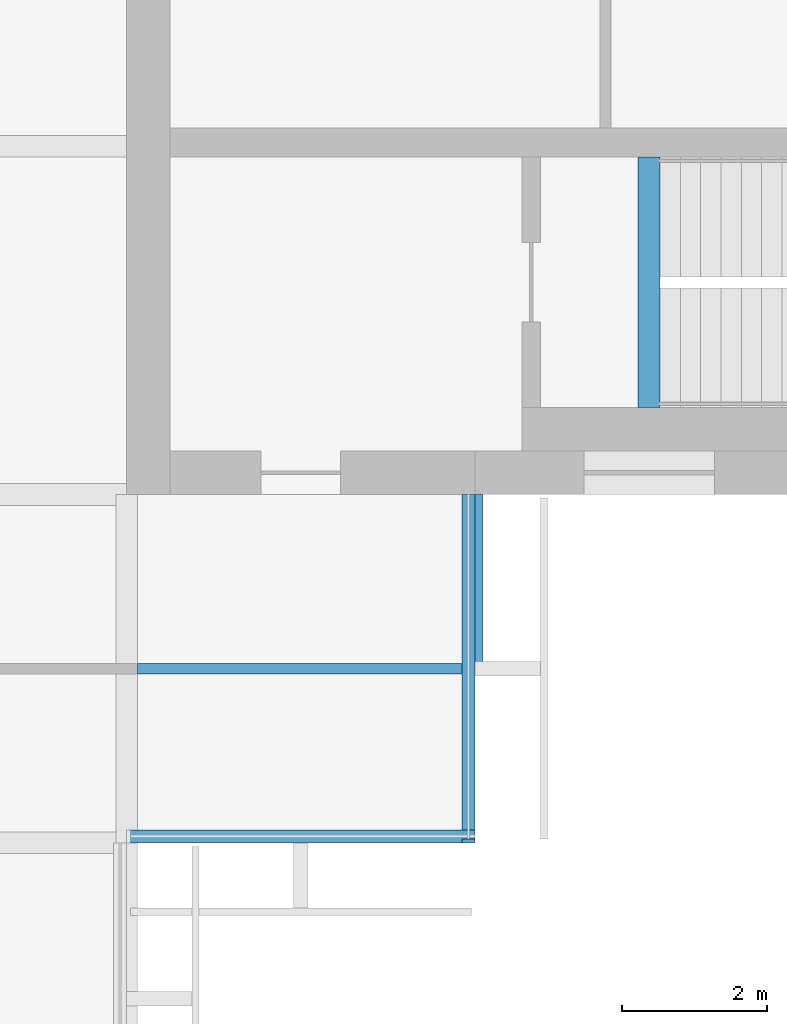
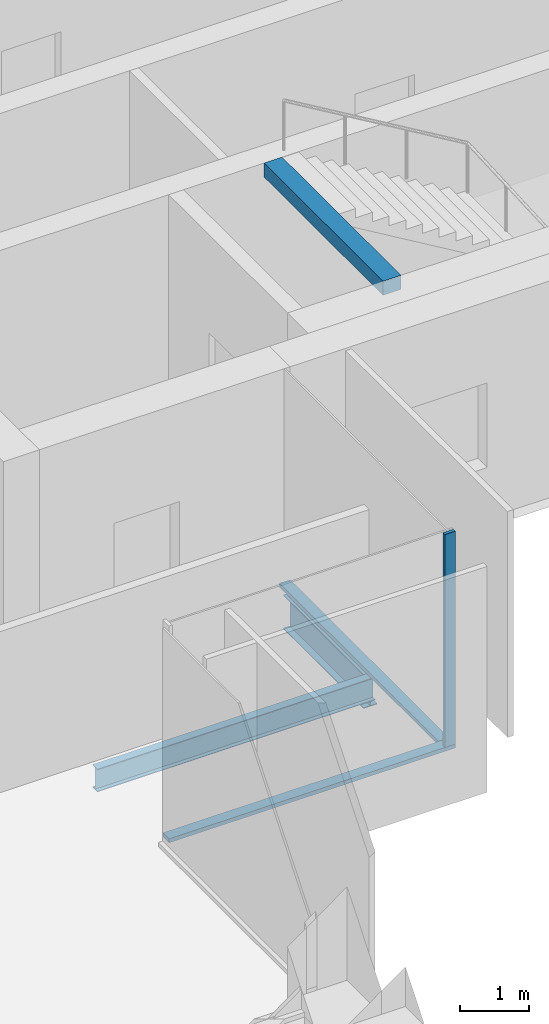
# One storey, part 4 of 12: 3 beams, 3 members, 2 elements without a shape of their own.
"""IFC4 building model written with IfcOpenShell, lengths in metres."""

from ifc_helpers import new_model, si_unit, direction, frame, origin, origin_2d, place, context, subcontext, project, spatial, rectangle, i_section, extrude, material, material_profile, profile_set, type_object, element, aggregate, save


model = new_model("IFC4")

# Units and contexts
model_context = context("Model", 3, precision=1e-05, world=origin(), true_north=direction((0.0, 1.0)))
body_context = subcontext(model_context, "Body", "Model", "MODEL_VIEW")
ifc_project = project(units=[si_unit("LENGTHUNIT", "METRE"), si_unit("AREAUNIT", "SQUARE_METRE"), si_unit("VOLUMEUNIT", "CUBIC_METRE"), si_unit("PLANEANGLEUNIT", "RADIAN"), si_unit("MASSUNIT", "GRAM", prefix="KILO")], contexts=[model_context])

# Site, building, storey
site_placement = place(None, origin())
site = spatial("IfcSite", under=ifc_project, at=site_placement, CompositionType="ELEMENT")
building_placement = place(site_placement, origin())
building = spatial("IfcBuilding", under=site, at=building_placement, Name="Baori Bourse Tower", CompositionType="ELEMENT")
storey_placement = place(building_placement, frame((0.0, 0.0, 298.300048828125)))
storey = spatial("IfcBuildingStorey", under=building, at=storey_placement, Name="L65", CompositionType="ELEMENT", Elevation=298.300048828125)

# Curtain wall, member
ifc_material_1 = material(Name="Pale anodised aluminium", Category="aluminium")
curtain_wall_type = type_object("IfcCurtainWallType", Name="CW2 Curtain wall", PredefinedType="NOTDEFINED", material=ifc_material_1)
curtain_wall_1_placement = place(storey_placement, origin())
curtain_wall_1 = element("IfcCurtainWall", 1, at=curtain_wall_1_placement, inside=storey, type_object=curtain_wall_type, Name="Curtain wall CW2 L65 14", PredefinedType="NOTDEFINED")
ifc_material_2 = material(Name="Pale anodised aluminium", Category="aluminium")
ifc_material_profile_1 = material_profile(ifc_material_2, rectangle(XDim=0.179931640625, YDim=0.054931640625, at=origin_2d()), Name="Mullion 55x180")
ifc_profile_set_1 = profile_set([ifc_material_profile_1], Name="Pale anodised aluminium")
member_type_1 = type_object("IfcMemberType", Name="CW2 Curtain wall mullion", PredefinedType="MULLION", material=ifc_profile_set_1)
member_1_placement = place(storey_placement, frame((43.110107421875, 4.827392578125, 0.070068359375), z_axis=(0.0, 0.0, 1.0), x_axis=(-1.0, 0.0, 0.0)))
member_1 = element("IfcMember", 2, at=member_1_placement, type_object=member_type_1, Name="Curtain wall CW2 mullion", PredefinedType="MULLION", context=body_context, shape_type="SweptSolid", body=[
    extrude(rectangle(XDim=0.179931640625, YDim=0.054931640625, at=origin_2d()), origin(), (0.0, 0.0, 1.0), 3.769775390625),
])

curtain_wall_2_placement = place(storey_placement, origin())
curtain_wall_2 = element("IfcCurtainWall", 3, at=curtain_wall_2_placement, inside=storey, type_object=curtain_wall_type, Name="Curtain wall CW2 L65 13", PredefinedType="NOTDEFINED")
ifc_material_3 = material(Name="Pale anodised aluminium", Category="aluminium")
ifc_material_profile_2 = material_profile(ifc_material_3, rectangle(XDim=0.179931640625, YDim=0.070068359375, at=origin_2d()), Name="Transom 70x180")
ifc_profile_set_2 = profile_set([ifc_material_profile_2], Name="Pale anodised aluminium")
member_type_2 = type_object("IfcMemberType", Name="CW2 Curtain wall transom", PredefinedType="USERDEFINED", material=ifc_profile_set_2)
member_2_placement = place(storey_placement, frame((38.39990234375, 4.889892578125, 0.034912109375), z_axis=(1.0, 0.0, 0.0), x_axis=(0.0, 1.0, 0.0)))
member_2 = element("IfcMember", 4, at=member_2_placement, type_object=member_type_2, Name="Curtain wall CW2 sill rail", ObjectType="TRANSOM", PredefinedType="USERDEFINED", context=body_context, shape_type="SweptSolid", body=[
    extrude(rectangle(XDim=0.179931640625, YDim=0.070068359375, at=origin_2d()), origin(), (0.0, 0.0, 1.0), 4.800048828125),
])
aggregate(curtain_wall_2, [member_2])

# Member
member_3_placement = place(storey_placement, frame((43.110107421875, 4.800048828125, 0.034912109375), z_axis=(0.0, 1.0, 0.0), x_axis=(-1.0, 0.0, 0.0)))
member_3 = element("IfcMember", 5, at=member_3_placement, type_object=member_type_2, Name="Curtain wall CW2 sill rail", ObjectType="TRANSOM", PredefinedType="USERDEFINED", context=body_context, shape_type="SweptSolid", body=[
    extrude(rectangle(XDim=0.179931640625, YDim=0.070068359375, at=origin_2d()), origin(), (0.0, 0.0, 1.0), 4.800048828125),
])

aggregate(curtain_wall_1, [member_3, member_1])

# Beams
ifc_material_4 = material(Name="Steel A992 Gr 50", Category="steel")
ifc_material_profile_3 = material_profile(ifc_material_4, i_section(OverallWidth=0.227783203125, OverallDepth=0.60205078125, WebThickness=0.010498046875, FlangeThickness=0.014892578125, at=origin_2d()), Name="W24x68")
ifc_profile_set_3 = profile_set([ifc_material_profile_3], Name="Steel A992 Gr 50")
beam_type_1 = type_object("IfcBeamType", Name="Core bracket W24x68", PredefinedType="BEAM", material=ifc_profile_set_3)
beam_1_placement = place(storey_placement, frame((43.199951171875, 7.270263671875, -0.4609375), z_axis=(0.0, 1.0, 0.0), x_axis=(-1.0, 0.0, 0.0)))
element("IfcBeam", 6, at=beam_1_placement, inside=storey, type_object=beam_type_1, Name="Core bracket L65", PredefinedType="BEAM", context=body_context, shape_type="SweptSolid", body=[
    extrude(i_section(OverallWidth=0.227783203125, OverallDepth=0.60205078125, WebThickness=0.010498046875, FlangeThickness=0.014892578125, at=origin_2d()), origin(), (0.0, 0.0, 1.0), 2.329833984375),
])
ifc_material_5 = material(Name="Concrete f'c 50 MPa", Category="concrete")
ifc_material_profile_4 = material_profile(ifc_material_5, rectangle(XDim=0.300048828125, YDim=0.25, at=origin_2d()), Name="RC 300x250")
ifc_profile_set_4 = profile_set([ifc_material_profile_4], Name="Concrete f'c 50 MPa")
beam_type_2 = type_object("IfcBeamType", Name="Stair nib beam RC 300x250", PredefinedType="BEAM", material=ifc_profile_set_4)
beam_2_placement = place(storey_placement, frame((45.60009765625, 10.800048828125, 3.71484375), z_axis=(0.0, 1.0, 0.0), x_axis=(-1.0, 0.0, 0.0)))
element("IfcBeam", 7, at=beam_2_placement, inside=storey, type_object=beam_type_2, Name="Stair EA nib beam L66", PredefinedType="BEAM", context=body_context, shape_type="SweptSolid", body=[
    extrude(rectangle(XDim=0.300048828125, YDim=0.25, at=origin_2d()), origin(), (0.0, 0.0, 1.0), 3.449951171875),
])
ifc_material_6 = material(Name="Steel A992 Gr 50", Category="steel")
ifc_material_profile_5 = material_profile(ifc_material_6, i_section(OverallWidth=0.140380859375, OverallDepth=0.40380859375, WebThickness=0.007080078125, FlangeThickness=0.01123046875, at=origin_2d()), Name="W16x31")
ifc_profile_set_5 = profile_set([ifc_material_profile_5], Name="Steel A992 Gr 50")
beam_type_3 = type_object("IfcBeamType", Name="Trimmer beam W16x31", PredefinedType="BEAM", material=ifc_profile_set_5)
beam_3_placement = place(storey_placement, frame((38.546142578125, 7.199951171875, -0.362060546875), z_axis=(1.0, 0.0, 0.0), x_axis=(0.0, 1.0, 0.0)))
element("IfcBeam", 8, at=beam_3_placement, inside=storey, type_object=beam_type_3, Name="Trimmer beam L65", PredefinedType="BEAM", context=body_context, shape_type="SweptSolid", body=[
    extrude(i_section(OverallWidth=0.140380859375, OverallDepth=0.40380859375, WebThickness=0.007080078125, FlangeThickness=0.01123046875, at=origin_2d()), origin(), (0.0, 0.0, 1.0), 4.65380859375),
])

save(model, "model.ifc")
